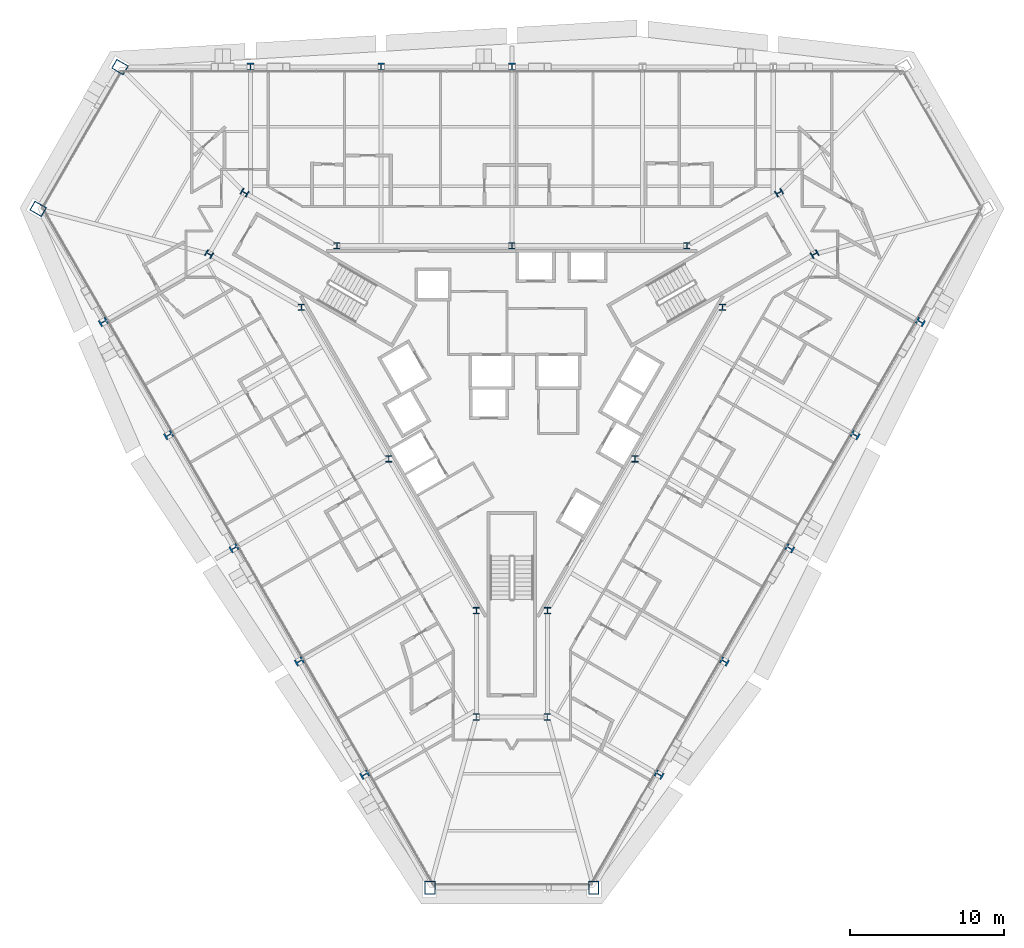
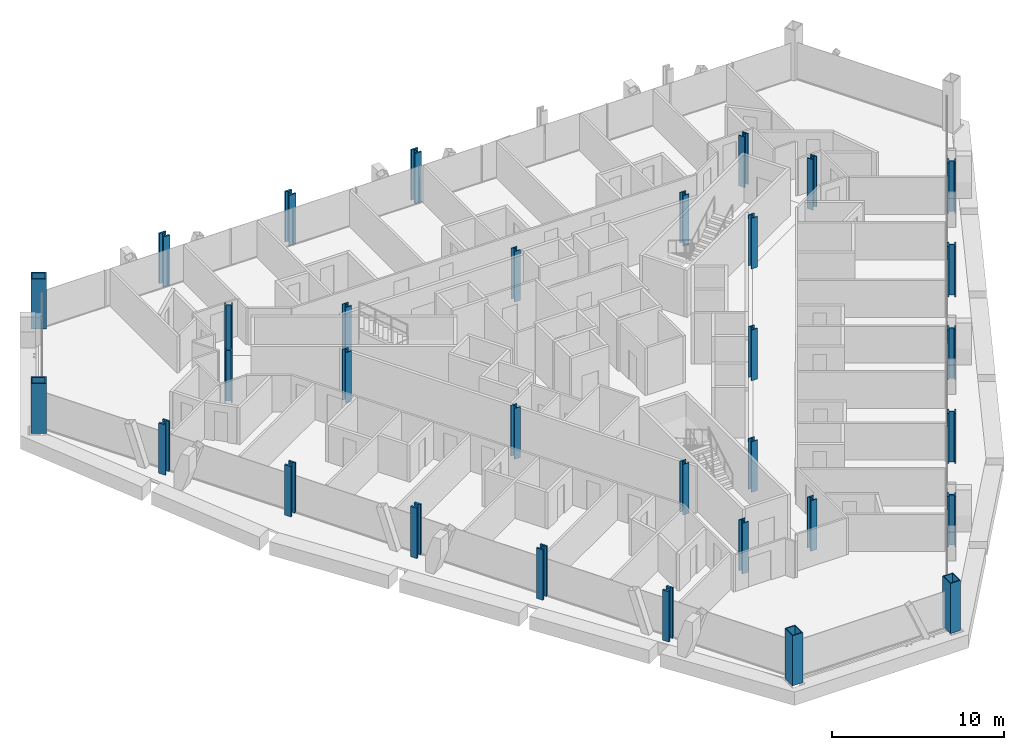
# One storey, part 1 of 17: 32 columns.
"""IFC4 building model written with IfcOpenShell, lengths in metres."""

from ifc_helpers import new_model, si_unit, direction, frame, origin, origin_2d, place, context, subcontext, project, spatial, hollow_rectangle, i_section, extrude, material, material_profile, profile_set, type_object, element, save


model = new_model("IFC4")

# Units and contexts
model_context = context("Model", 3, precision=1e-05, world=origin(), true_north=direction((0.0, 1.0)))
body_context = subcontext(model_context, "Body", "Model", "MODEL_VIEW")
ifc_project = project(units=[si_unit("LENGTHUNIT", "METRE"), si_unit("AREAUNIT", "SQUARE_METRE"), si_unit("VOLUMEUNIT", "CUBIC_METRE"), si_unit("PLANEANGLEUNIT", "RADIAN"), si_unit("MASSUNIT", "GRAM", prefix="KILO")], contexts=[model_context])

# Site, building, storey
site_placement = place(None, origin())
site = spatial("IfcSite", under=ifc_project, at=site_placement, CompositionType="ELEMENT")
building_placement = place(site_placement, origin())
building = spatial("IfcBuilding", under=site, at=building_placement, Name="Verrane Prism Tower", CompositionType="ELEMENT")
storey_placement = place(building_placement, frame((0.0, 0.0, 40.39990234375)))
storey = spatial("IfcBuildingStorey", under=building, at=storey_placement, Name="L07", CompositionType="ELEMENT", Elevation=40.39990234375)

# Columns
ifc_material_1 = material(Name="Steel A992", Category="steel")
ifc_material_profile_1 = material_profile(ifc_material_1, i_section(OverallWidth=0.419189453125, OverallDepth=0.45458984375, WebThickness=0.042236328125, FlangeThickness=0.067626953125, FilletRadius=0.01513671875, at=origin_2d()), Name="W14x370")
ifc_profile_set_1 = profile_set([ifc_material_profile_1], Name="Steel A992")
column_type_1 = type_object("IfcColumnType", Name="Core corner column W14x370", PredefinedType="COLUMN", material=ifc_profile_set_1)
for number, where, z_axis, x_axis, name in (
    (1, (19.60009765625, 8.659912109375, 0.0), (0.0, 0.0, 1.0), (0.5, -0.866025403784, 0.0), "Core corner column CK-NEm L07"),
    (2, (17.300048828125, 12.639892578125, 0.0), (0.0, 0.0, 1.0), (0.5, -0.866025403784, 0.0), "Core corner column CK-NEp L07"),
    (3, (-17.300048828125, 12.639892578125, 0.0), (0.0, 0.0, 1.0), (0.5, 0.866025403784, 0.0), "Core corner column CK-NWm L07"),
    (4, (-19.60009765625, 8.659912109375, 0.0), (0.0, 0.0, 1.0), (0.5, 0.866025403784, 0.0), "Core corner column CK-NWp L07"),
    (5, (-2.300048828125, -21.300048828125, 0.0), (0.0, 0.0, 1.0), (-1.0, 0.0, 0.0), "Core corner column CK-Sm L07"),
    (6, (2.300048828125, -21.300048828125, 0.0), (0.0, 0.0, 1.0), (-1.0, 0.0, 0.0), "Core corner column CK-Sp L07"),
):
    element("IfcColumn", number, at=place(storey_placement, frame(where, z_axis=z_axis, x_axis=x_axis)), inside=storey, type_object=column_type_1, Name=name, PredefinedType="COLUMN", context=body_context, shape_type="SweptSolid", body=[
        extrude(i_section(OverallWidth=0.419189453125, OverallDepth=0.45458984375, WebThickness=0.042236328125, FlangeThickness=0.067626953125, FilletRadius=0.01513671875, at=origin_2d()), origin(), (0.0, 0.0, 1.0), 3.60009765625),
    ])
ifc_material_2 = material(Name="Steel A992", Category="steel")
ifc_material_profile_2 = material_profile(ifc_material_2, i_section(OverallWidth=0.406494140625, OverallDepth=0.41650390625, WebThickness=0.030029296875, FlangeThickness=0.048095703125, FilletRadius=0.01513671875, at=origin_2d()), Name="W14x257")
ifc_profile_set_2 = profile_set([ifc_material_profile_2], Name="Steel A992")
column_type_2 = type_object("IfcColumnType", Name="Core side column W14x257", PredefinedType="COLUMN", material=ifc_profile_set_2)
for number, where, z_axis, x_axis, name in (
    (7, (13.6298828125, 5.219970703125, 0.0), (0.0, 0.0, 1.0), (1.0, 0.0, 0.0), "Core side column CC-NEm L07"),
    (8, (11.330078125, 9.199951171875, 0.0), (0.0, 0.0, 1.0), (1.0, 0.0, 0.0), "Core side column CC-NEp L07"),
    (9, (0.0, 9.199951171875, 0.0), (0.0, 0.0, 1.0), (1.0, 0.0, 0.0), "Core side column CC-N0 L07"),
    (10, (-11.330078125, 9.199951171875, 0.0), (0.0, 0.0, 1.0), (1.0, 0.0, 0.0), "Core side column CC-NWm L07"),
    (11, (-13.6298828125, 5.219970703125, 0.0), (0.0, 0.0, 1.0), (1.0, 0.0, 0.0), "Core side column CC-NWp L07"),
    (12, (-7.969970703125, -4.60009765625, 0.0), (0.0, 0.0, 1.0), (1.0, 0.0, 0.0), "Core side column CC-SW0 L07"),
    (13, (-2.300048828125, -14.419921875, 0.0), (0.0, 0.0, 1.0), (1.0, 0.0, 0.0), "Core side column CC-Sm L07"),
    (14, (2.300048828125, -14.419921875, 0.0), (0.0, 0.0, 1.0), (1.0, 0.0, 0.0), "Core side column CC-Sp L07"),
    (15, (7.969970703125, -4.60009765625, 0.0), (0.0, 0.0, 1.0), (1.0, 0.0, 0.0), "Core side column CC-SE0 L07"),
):
    element("IfcColumn", number, at=place(storey_placement, frame(where, z_axis=z_axis, x_axis=x_axis)), inside=storey, type_object=column_type_2, Name=name, PredefinedType="COLUMN", context=body_context, shape_type="SweptSolid", body=[
        extrude(i_section(OverallWidth=0.406494140625, OverallDepth=0.41650390625, WebThickness=0.030029296875, FlangeThickness=0.048095703125, FilletRadius=0.01513671875, at=origin_2d()), origin(), (0.0, 0.0, 1.0), 3.60009765625),
    ])
ifc_material_3 = material(Name="Steel A572 Grade 50", Category="steel")
ifc_material_profile_3 = material_profile(ifc_material_3, hollow_rectangle(XDim=0.699951171875, YDim=0.89990234375, WallThickness=0.06494140625, at=origin_2d()), Name="BOX 900x700x65")
ifc_profile_set_3 = profile_set([ifc_material_profile_3], Name="Steel A572 Grade 50")
column_type_3 = type_object("IfcColumnType", Name="Megacolumn BOX 900x700x65", PredefinedType="COLUMN", material=ifc_profile_set_3)
for number, where, z_axis, x_axis, name in (
    (16, (-25.3701171875, 20.77001953125, 0.0), (0.0, 0.0, 1.0), (0.5, 0.866025403784, 0.0), "Megacolumn MC-NW.a L07"),
    (17, (-30.669921875, 11.590087890625, 0.0), (0.0, 0.0, 1.0), (0.5, 0.866025403784, 0.0), "Megacolumn MC-NW.b L07"),
    (18, (-5.300048828125, -32.360107421875, 0.0), (0.0, 0.0, 1.0), (-1.0, 0.0, 0.0), "Megacolumn MC-S.a L07"),
    (19, (5.300048828125, -32.360107421875, 0.0), (0.0, 0.0, 1.0), (-1.0, 0.0, 0.0), "Megacolumn MC-S.b L07"),
):
    element("IfcColumn", number, at=place(storey_placement, frame(where, z_axis=z_axis, x_axis=x_axis)), inside=storey, type_object=column_type_3, Name=name, PredefinedType="COLUMN", context=body_context, shape_type="SweptSolid", body=[
        extrude(hollow_rectangle(XDim=0.699951171875, YDim=0.89990234375, WallThickness=0.06494140625, at=origin_2d()), origin(), (0.0, 0.0, 1.0), 3.56005859375),
    ])
ifc_material_4 = material(Name="Steel A992", Category="steel")
ifc_material_profile_4 = material_profile(ifc_material_4, i_section(OverallWidth=0.44189453125, OverallDepth=0.53076171875, WebThickness=0.06591796875, FlangeThickness=0.105712890625, FilletRadius=0.01513671875, at=origin_2d()), Name="W14x605")
ifc_profile_set_4 = profile_set([ifc_material_profile_4], Name="Steel A992")
column_type_4 = type_object("IfcColumnType", Name="Perimeter column W14x605", PredefinedType="COLUMN", material=ifc_profile_set_4)
for number, where, z_axis, x_axis, name in (
    (20, (0.0, 20.77001953125, 0.0), (0.0, 0.0, 1.0), (1.0, 0.0, 0.0), "Perimeter column PC-N3 L07"),
    (21, (-8.4599609375, 20.77001953125, 0.0), (0.0, 0.0, 1.0), (1.0, 0.0, 0.0), "Perimeter column PC-N4 L07"),
    (22, (-16.919921875, 20.77001953125, 0.0), (0.0, 0.0, 1.0), (1.0, 0.0, 0.0), "Perimeter column PC-N5 L07"),
    (23, (-26.449951171875, 4.27001953125, 0.0), (0.0, 0.0, 1.0), (-0.5, 0.866025403784, 0.0), "Perimeter column PC-SW1 L07"),
    (24, (-22.219970703125, -3.06005859375, 0.0), (0.0, 0.0, 1.0), (-0.5, 0.866025403784, 0.0), "Perimeter column PC-SW2 L07"),
    (25, (-17.989990234375, -10.3798828125, 0.0), (0.0, 0.0, 1.0), (-0.5, 0.866025403784, 0.0), "Perimeter column PC-SW3 L07"),
    (26, (-13.760009765625, -17.7099609375, 0.0), (0.0, 0.0, 1.0), (-0.5, 0.866025403784, 0.0), "Perimeter column PC-SW4 L07"),
    (27, (-9.530029296875, -25.0400390625, 0.0), (0.0, 0.0, 1.0), (-0.5, 0.866025403784, 0.0), "Perimeter column PC-SW5 L07"),
    (28, (9.530029296875, -25.0400390625, 0.0), (0.0, 0.0, 1.0), (-0.5, -0.866025403784, 0.0), "Perimeter column PC-SE1 L07"),
    (29, (13.760009765625, -17.7099609375, 0.0), (0.0, 0.0, 1.0), (-0.5, -0.866025403784, 0.0), "Perimeter column PC-SE2 L07"),
    (30, (17.989990234375, -10.3798828125, 0.0), (0.0, 0.0, 1.0), (-0.5, -0.866025403784, 0.0), "Perimeter column PC-SE3 L07"),
    (31, (22.219970703125, -3.06005859375, 0.0), (0.0, 0.0, 1.0), (-0.5, -0.866025403784, 0.0), "Perimeter column PC-SE4 L07"),
    (32, (26.449951171875, 4.27001953125, 0.0), (0.0, 0.0, 1.0), (-0.5, -0.866025403784, 0.0), "Perimeter column PC-SE5 L07"),
):
    element("IfcColumn", number, at=place(storey_placement, frame(where, z_axis=z_axis, x_axis=x_axis)), inside=storey, type_object=column_type_4, Name=name, PredefinedType="COLUMN", context=body_context, shape_type="SweptSolid", body=[
        extrude(i_section(OverallWidth=0.44189453125, OverallDepth=0.53076171875, WebThickness=0.06591796875, FlangeThickness=0.105712890625, FilletRadius=0.01513671875, at=origin_2d()), origin(), (0.0, 0.0, 1.0), 3.5751953125),
    ])

save(model, "model.ifc")
